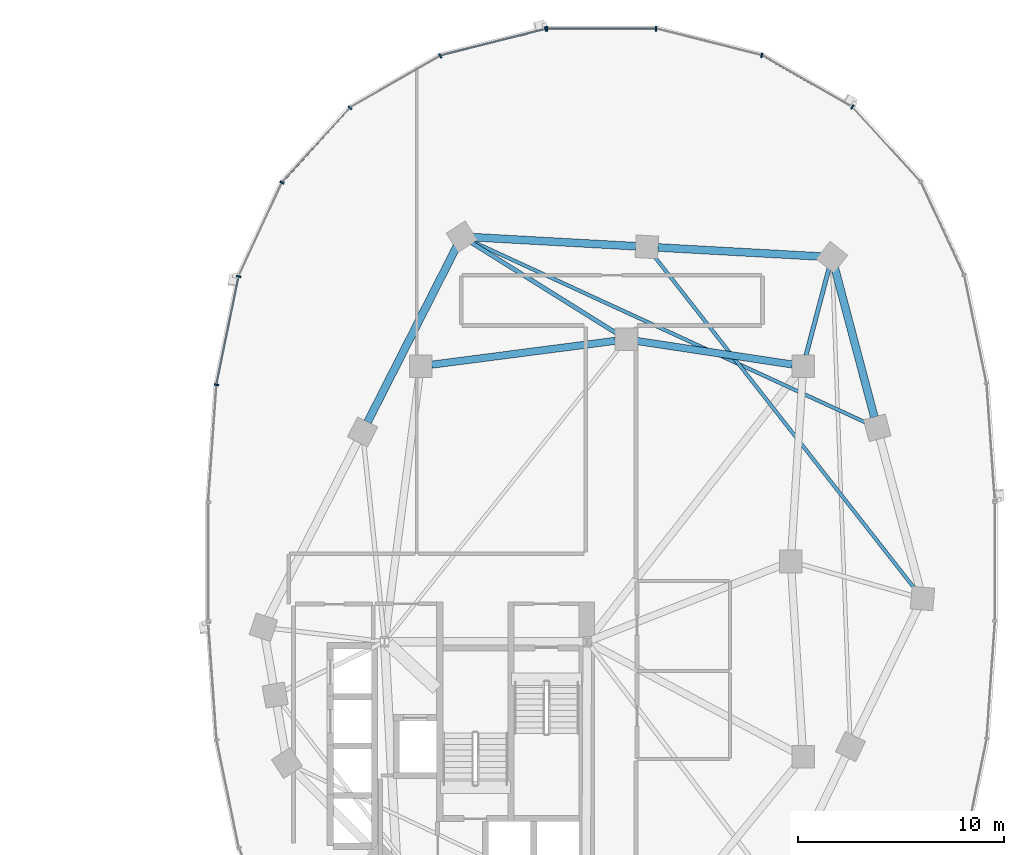
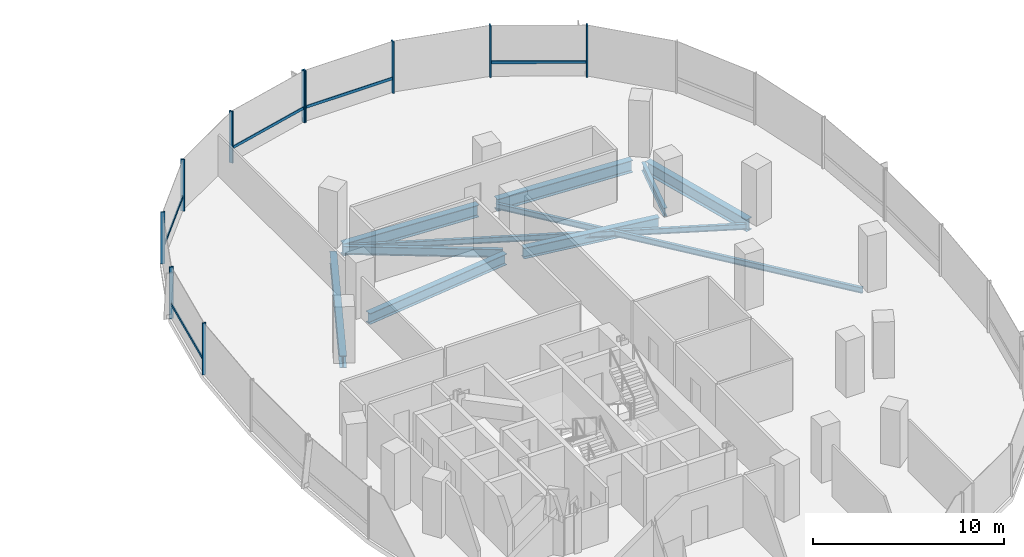
# One storey, part 7 of 20: 15 members, 10 beams, 2 elements without a shape of their own.
"""IFC4 building model written with IfcOpenShell, lengths in metres."""

import ifcopenshell
import ifcopenshell.guid

model = None  # the IFC model being written
_history = None  # IfcOwnerHistory: only IFC2X3 demands one
_inside = {}  # id of a spatial element -> (the spatial element, [elements in it])
_under = {}  # id of a project, library or spatial element -> (it, [spatial elements below it])
_declared = {}  # id of a project -> (the project, [libraries it declares])
_typed = {}  # id of a type object -> (the type object, [elements of that type])
_made_of = {}  # id of a material, layer set ... -> (it, [elements and type objects made of it])


def new_model(schema):
    """Start an empty IFC model of exactly this schema.

    Asked for "IFC4X3", IfcOpenShell would pick the latest addendum, in which some entities
    have other attributes; the version numbers below select the first issue.
    IFC2X3 requires an IfcOwnerHistory on every rooted entity: one is made here for all.
    """
    global model, _history
    if schema == "IFC4X3":
        model = ifcopenshell.file(schema_version=(4, 3, 0, 0))
    else:
        model = ifcopenshell.file(schema=schema)
    _inside.clear()
    _under.clear()
    _declared.clear()
    _typed.clear()
    _made_of.clear()
    _history = None
    if model.schema == "IFC2X3":
        org = make("IfcOrganization", Name="unknown")
        user = make(
            "IfcPersonAndOrganization",
            ThePerson=make("IfcPerson", FamilyName="unknown"),
            TheOrganization=org,
        )
        app = make(
            "IfcApplication",
            ApplicationDeveloper=org,
            Version="unknown",
            ApplicationFullName="unknown",
            ApplicationIdentifier="unknown",
        )
        _history = make(
            "IfcOwnerHistory",
            OwningUser=user,
            OwningApplication=app,
            ChangeAction="ADDED",
            CreationDate=0,
        )
    return model


def make(cls, **values):
    """One entity of the class cls with the attributes given. An attribute that is None is left unset."""
    return model.create_entity(
        cls, **{name: value for name, value in values.items() if value is not None}
    )


def rooted(cls, **values):
    """An entity with a GlobalId (a new one), such as an element, a storey or a relation."""
    return make(cls, GlobalId=ifcopenshell.guid.new(), OwnerHistory=_history, **values)


def si_unit(unit_type, name, prefix=None):
    """IfcSIUnit, for example si_unit("LENGTHUNIT", "METRE", prefix="MILLI")."""
    return make("IfcSIUnit", UnitType=unit_type, Prefix=prefix, Name=name)


def assignment(units):
    """IfcUnitAssignment: the units of a project."""
    return None if units is None else make("IfcUnitAssignment", Units=units)


def point(xyz):
    """IfcCartesianPoint."""
    return None if xyz is None else make("IfcCartesianPoint", Coordinates=xyz)


def direction(xyz):
    """IfcDirection."""
    return None if xyz is None else make("IfcDirection", DirectionRatios=xyz)


def frame(location, z_axis=None, x_axis=None):
    """IfcAxis2Placement3D, a coordinate frame: its origin and axes. An axis left out is left unset."""
    return make(
        "IfcAxis2Placement3D",
        Location=point(location),
        Axis=direction(z_axis),
        RefDirection=direction(x_axis),
    )


def frame_2d(location, x_axis=None):
    """IfcAxis2Placement2D, a coordinate frame in the plane: its origin and x axis."""
    return make(
        "IfcAxis2Placement2D", Location=point(location), RefDirection=direction(x_axis)
    )


def origin():
    """The frame at (0, 0, 0) with its axes left unset."""
    return frame((0.0, 0.0, 0.0))


def origin_2d():
    """The frame at (0, 0) in the plane with its x axis left unset."""
    return frame_2d((0.0, 0.0))


def place(relative_to, where):
    """IfcLocalPlacement: puts the frame where relative to a parent placement (None: the world)."""
    return make(
        "IfcLocalPlacement", PlacementRelTo=relative_to, RelativePlacement=where
    )


def context(
    kind, dimensions, precision=None, world=None, true_north=None, identifier=None
):
    """IfcGeometricRepresentationContext, for example the 3D "Model" context."""
    return make(
        "IfcGeometricRepresentationContext",
        ContextIdentifier=identifier,
        ContextType=kind,
        CoordinateSpaceDimension=dimensions,
        Precision=precision,
        WorldCoordinateSystem=world,
        TrueNorth=true_north,
    )


def subcontext(parent, identifier, kind, view, scale=None):
    """IfcGeometricRepresentationSubContext, for example "Body" below "Model"."""
    return make(
        "IfcGeometricRepresentationSubContext",
        ContextIdentifier=identifier,
        ContextType=kind,
        ParentContext=parent,
        TargetScale=scale,
        TargetView=view,
    )


def project(units=None, contexts=None):
    """IfcProject with its units and contexts."""
    return rooted(
        "IfcProject",
        Name="project",
        RepresentationContexts=contexts,
        UnitsInContext=assignment(units),
    )


def spatial(cls, under=None, at=None, **own):
    """A site, building, storey or space (cls), placed at a placement, below another one or the project."""
    s = rooted(cls, ObjectPlacement=at, **own)
    if under is not None:
        _under.setdefault(under.id(), (under, []))[1].append(s)
    return s


def profile(cls, at=None, kind="AREA", **sizes):
    """A parametric profile (cls). Its sizes go by their IFC names, for example OverallWidth=200.0."""
    return make(cls, ProfileType=kind, Position=at, **sizes)


def rectangle(**sizes):
    """IfcRectangleProfileDef."""
    return profile("IfcRectangleProfileDef", **sizes)


def i_section(**sizes):
    """IfcIShapeProfileDef."""
    return profile("IfcIShapeProfileDef", **sizes)


def extrude(swept, where, along, depth):
    """IfcExtrudedAreaSolid: the profile swept, set in the frame where, extruded along a direction by depth."""
    return make(
        "IfcExtrudedAreaSolid",
        SweptArea=swept,
        Position=where,
        ExtrudedDirection=direction(along),
        Depth=depth,
    )


def shape(context_of_items, identifier, shape_type, items):
    """IfcShapeRepresentation: the items that make up one representation, for example the "Body"."""
    return make(
        "IfcShapeRepresentation",
        ContextOfItems=context_of_items,
        RepresentationIdentifier=identifier,
        RepresentationType=shape_type,
        Items=items,
    )


def material(Name=None, Category=None):
    """IfcMaterial."""
    return make("IfcMaterial", Name=Name, Category=Category)


def material_profile(
    of_material, cross_section, Name=None, Category=None, Priority=None
):
    """IfcMaterialProfile: a cross section and its material."""
    return make(
        "IfcMaterialProfile",
        Name=Name,
        Material=of_material,
        Profile=cross_section,
        Priority=Priority,
        Category=Category,
    )


def profile_set(profiles, Name=None, composite=None):
    """IfcMaterialProfileSet."""
    return make(
        "IfcMaterialProfileSet",
        Name=Name,
        MaterialProfiles=profiles,
        CompositeProfile=composite,
    )


def made_of(thing, what):
    """Note that an element or type object is made of a material, layer set ...; save() writes the relation."""
    if what is not None:
        _made_of.setdefault(what.id(), (what, []))[1].append(thing)
    return thing


def type_object(cls, material=None, **own):
    """A type object (cls), such as IfcWallType, which elements share."""
    return made_of(rooted(cls, **own), material)


def element(
    cls,
    number,
    at=None,
    inside=None,
    cuts=None,
    type_object=None,
    material=None,
    context=None,
    identifier="Body",
    shape_type=None,
    held_by="IfcProductDefinitionShape",
    body=None,
    shapes=None,
    **own,
):
    """One element of the class cls, such as IfcWall. Its Tag is "e" and its number.

    at: its placement. inside: the storey or other place that contains it. cuts: it is an
    opening in that element (IfcRelVoidsElement). A single representation is given by context,
    identifier, shape_type and body (its items); several are given by shapes. held_by: the class
    of the entity that holds the representations. save() writes the other relations.
    """
    e = rooted(cls, Tag="e%d" % number, ObjectPlacement=at, **own)
    if body is not None:
        shapes = [shape(context, identifier, shape_type, body)]
    if shapes is not None:
        e.Representation = make(held_by, Representations=shapes)
    if inside is not None:
        _inside.setdefault(inside.id(), (inside, []))[1].append(e)
    if cuts is not None:
        rooted(
            "IfcRelVoidsElement", RelatingBuildingElement=cuts, RelatedOpeningElement=e
        )
    if type_object is not None:
        _typed.setdefault(type_object.id(), (type_object, []))[1].append(e)
    return made_of(e, material)


def aggregate(whole, parts):
    """IfcRelAggregates: a whole, such as a stair, and the parts it consists of."""
    return rooted("IfcRelAggregates", RelatingObject=whole, RelatedObjects=parts)


def save(model, path):
    """Write the relations noted so far, then the file.

    IfcRelAggregates (storeys below a building ...), IfcRelContainedInSpatialStructure (elements
    in a storey), IfcRelDefinesByType, IfcRelAssociatesMaterial and IfcRelDeclares: one each for
    every whole, place, type object, material and project.
    """
    for whole, parts in _under.values():
        aggregate(whole, parts)
    for where, things in _inside.values():
        rooted(
            "IfcRelContainedInSpatialStructure",
            RelatedElements=things,
            RelatingStructure=where,
        )
    for kind, things in _typed.values():
        rooted("IfcRelDefinesByType", RelatedObjects=things, RelatingType=kind)
    for what, things in _made_of.values():
        rooted("IfcRelAssociatesMaterial", RelatedObjects=things, RelatingMaterial=what)
    for by, libraries in _declared.values():
        rooted("IfcRelDeclares", RelatingContext=by, RelatedDefinitions=libraries)
    model.write(path)


model = new_model("IFC4")

# Units and contexts
model_context = context("Model", 3, precision=1e-05, world=origin(), true_north=direction((0.0, 1.0)))
body_context = subcontext(model_context, "Body", "Model", "MODEL_VIEW")
ifc_project = project(units=[si_unit("LENGTHUNIT", "METRE"), si_unit("AREAUNIT", "SQUARE_METRE"), si_unit("VOLUMEUNIT", "CUBIC_METRE"), si_unit("PLANEANGLEUNIT", "RADIAN"), si_unit("MASSUNIT", "GRAM", prefix="KILO"), si_unit("THERMODYNAMICTEMPERATUREUNIT", "KELVIN"), si_unit("POWERUNIT", "WATT")], contexts=[model_context])

# Site, building, storey
site_placement = place(None, origin())
site = spatial("IfcSite", under=ifc_project, at=site_placement, CompositionType="ELEMENT")
building_placement = place(site_placement, origin())
building = spatial("IfcBuilding", under=site, at=building_placement, Name="Cundina Bronze Exchange", CompositionType="ELEMENT")
storey_placement = place(building_placement, frame((0.0, 0.0, 125.0)))
storey = spatial("IfcBuildingStorey", under=building, at=storey_placement, Name="L32", CompositionType="ELEMENT", Elevation=125.0)

# Beams
ifc_material_1 = material(Name="Steel ASTM A992 Grade 50", Category="steel")
ifc_material_profile_1 = material_profile(ifc_material_1, i_section(OverallWidth=0.2099609375, OverallDepth=0.532958984375, WebThickness=0.01025390625, FlangeThickness=0.015625, FilletRadius=0.013916015625, at=origin_2d()), Name="W21X62", Category="steel")
ifc_profile_set_1 = profile_set([ifc_material_profile_1], Name="Steel ASTM A992 Grade 50")
beam_type_1 = type_object("IfcBeamType", Name="BM-FLR-W21B", PredefinedType="BEAM", material=ifc_profile_set_1)
beam_1_placement = place(storey_placement, frame((41.9375, 10.020263671875, -0.56640625), z_axis=(0.255357891402, 0.966846599673, 0.0), x_axis=(-0.966846599673, 0.255357891402, 0.0)))
element("IfcBeam", 1, at=beam_1_placement, inside=storey, type_object=beam_type_1, Name="L32 Leg E Chordal Floor Beam 10", PredefinedType="BEAM", context=body_context, shape_type="SweptSolid", body=[
    extrude(i_section(OverallWidth=0.2099609375, OverallDepth=0.532958984375, WebThickness=0.01025390625, FlangeThickness=0.015625, FilletRadius=0.013916015625, at=origin_2d()), origin(), (0.0, 0.0, 1.0), 4.405517578125),
])
beam_2_placement = place(storey_placement, frame((32.743896484375, 11.085205078125, -0.56640625), z_axis=(-0.848003227047, 0.529991063055, 0.0), x_axis=(-0.529991063055, -0.848003227047, 0.0)))
element("IfcBeam", 2, at=beam_2_placement, inside=storey, type_object=beam_type_1, Name="L32 Leg E Chordal Floor Beam 12", PredefinedType="BEAM", context=body_context, shape_type="SweptSolid", body=[
    extrude(i_section(OverallWidth=0.2099609375, OverallDepth=0.532958984375, WebThickness=0.01025390625, FlangeThickness=0.015625, FilletRadius=0.013916015625, at=origin_2d()), origin(), (0.0, 0.0, 1.0), 8.358154296875),
])
ifc_material_profile_2 = material_profile(ifc_material_1, i_section(OverallWidth=0.172119140625, OverallDepth=0.35791015625, WebThickness=0.0078125, FlangeThickness=0.01318359375, FilletRadius=0.010009765625, at=origin_2d()), Name="W14X38", Category="steel")
ifc_profile_set_2 = profile_set([ifc_material_profile_2], Name="Steel ASTM A992 Grade 50")
beam_type_2 = type_object("IfcBeamType", Name="BM-JST-W14", PredefinedType="JOIST", material=ifc_profile_set_2)
beam_3_placement = place(storey_placement, frame((47.268310546875, -1.37646484375, -0.47900390625), z_axis=(-0.616815348306, 0.787107887201, 0.0), x_axis=(-0.787107887201, -0.616815348306, 0.0)))
element("IfcBeam", 3, at=beam_3_placement, inside=storey, type_object=beam_type_2, Name="L32 Leg E Lobe Floor Joist 08-11", PredefinedType="JOIST", context=body_context, shape_type="SweptSolid", body=[
    extrude(i_section(OverallWidth=0.172119140625, OverallDepth=0.35791015625, WebThickness=0.0078125, FlangeThickness=0.01318359375, FilletRadius=0.010009765625, at=origin_2d()), origin(), (0.0, 0.0, 1.0), 20.64892578125),
])
beam_4_placement = place(storey_placement, frame((44.911376953125, 6.72509765625, -0.47900390625), z_axis=(-0.908357076874, 0.41819543385, 0.0), x_axis=(-0.41819543385, -0.908357076874, 0.0)))
element("IfcBeam", 4, at=beam_4_placement, inside=storey, type_object=beam_type_2, Name="L32 Leg E Lobe Floor Joist 09-12", PredefinedType="JOIST", context=body_context, shape_type="SweptSolid", body=[
    extrude(i_section(OverallWidth=0.172119140625, OverallDepth=0.35791015625, WebThickness=0.0078125, FlangeThickness=0.01318359375, FilletRadius=0.010009765625, at=origin_2d()), origin(), (0.0, 0.0, 1.0), 21.162109375),
])
ifc_material_profile_3 = material_profile(ifc_material_1, i_section(OverallWidth=0.35498046875, OverallDepth=0.695068359375, WebThickness=0.015380859375, FlangeThickness=0.02490234375, FilletRadius=0.01806640625, at=origin_2d()), Name="W27X146", Category="steel")
ifc_profile_set_3 = profile_set([ifc_material_profile_3], Name="Steel ASTM A992 Grade 50")
beam_type_3 = type_object("IfcBeamType", Name="BM-RING-W27", PredefinedType="USERDEFINED", material=ifc_profile_set_3)
beam_5_placement = place(storey_placement, frame((41.26806640625, 9.580322265625, -0.6474609375), z_axis=(-0.988767489563, 0.149461873341, 0.0), x_axis=(-0.149461873341, -0.988767489563, 0.0)))
element("IfcBeam", 5, at=beam_5_placement, inside=storey, type_object=beam_type_3, Name="L32 E Inner Structural Ring Girder 05", ObjectType="GIRDER", PredefinedType="USERDEFINED", context=body_context, shape_type="SweptSolid", body=[
    extrude(i_section(OverallWidth=0.35498046875, OverallDepth=0.695068359375, WebThickness=0.015380859375, FlangeThickness=0.02490234375, FilletRadius=0.01806640625, at=origin_2d()), origin(), (0.0, 0.0, 1.0), 7.621826171875),
])
beam_6_placement = place(storey_placement, frame((32.66650390625, 10.730712890625, -0.6474609375), z_axis=(-0.991654577907, -0.128923225666, 0.0), x_axis=(0.128923225666, -0.991654577907, 0.0)))
element("IfcBeam", 6, at=beam_6_placement, inside=storey, type_object=beam_type_3, Name="L32 E Inner Structural Ring Girder 06", ObjectType="GIRDER", PredefinedType="USERDEFINED", context=body_context, shape_type="SweptSolid", body=[
    extrude(i_section(OverallWidth=0.35498046875, OverallDepth=0.695068359375, WebThickness=0.015380859375, FlangeThickness=0.02490234375, FilletRadius=0.01806640625, at=origin_2d()), origin(), (0.0, 0.0, 1.0), 9.00830078125),
])
ifc_material_profile_4 = material_profile(ifc_material_1, i_section(OverallWidth=0.381103515625, OverallDepth=0.77294921875, WebThickness=0.0166015625, FlangeThickness=0.027099609375, FilletRadius=0.01904296875, at=origin_2d()), Name="W30X173", Category="steel")
ifc_profile_set_4 = profile_set([ifc_material_profile_4], Name="Steel ASTM A992 Grade 50")
beam_type_4 = type_object("IfcBeamType", Name="BM-RING-W30", PredefinedType="USERDEFINED", material=ifc_profile_set_4)
beam_7_placement = place(storey_placement, frame((45.26220703125, 7.02001953125, -0.6865234375), z_axis=(-0.256209719931, 0.966621218168, 0.0), x_axis=(-0.966621218168, -0.256209719931, 0.0)))
element("IfcBeam", 7, at=beam_7_placement, inside=storey, type_object=beam_type_4, Name="L32 E Perimeter Ring Girder 09", ObjectType="GIRDER", PredefinedType="USERDEFINED", context=body_context, shape_type="SweptSolid", body=[
    extrude(i_section(OverallWidth=0.381103515625, OverallDepth=0.77294921875, WebThickness=0.0166015625, FlangeThickness=0.027099609375, FilletRadius=0.01904296875, at=origin_2d()), origin(), (0.0, 0.0, 1.0), 7.5107421875),
])
for number, where, z_axis, x_axis, name in (
    (8, (42.662841796875, 14.829833984375, -0.6865234375), (-0.99845950136, 0.055485350721, 0.0), (-0.055485350721, -0.99845950136, 0.0), "L32 E Perimeter Ring Girder 10"),
    (9, (33.662841796875, 15.329833984375, -0.6865234375), (-0.99845950136, 0.055485350721, 0.0), (-0.055485350721, -0.99845950136, 0.0), "L32 E Perimeter Ring Girder 11"),
):
    element("IfcBeam", number, at=place(storey_placement, frame(where, z_axis=z_axis, x_axis=x_axis)), inside=storey, type_object=beam_type_4, Name=name, ObjectType="GIRDER", PredefinedType="USERDEFINED", context=body_context, shape_type="SweptSolid", body=[
        extrude(i_section(OverallWidth=0.381103515625, OverallDepth=0.77294921875, WebThickness=0.0166015625, FlangeThickness=0.027099609375, FilletRadius=0.01904296875, at=origin_2d()), origin(), (0.0, 0.0, 1.0), 7.937744140625),
    ])
beam_8_placement = place(storey_placement, frame((24.956298828125, 15.3203125, -0.6865234375), z_axis=(-0.452832332744, -0.891595692241, 0.0), x_axis=(0.891595692241, -0.452832332744, 0.0)))
element("IfcBeam", 10, at=beam_8_placement, inside=storey, type_object=beam_type_4, Name="L32 E Perimeter Ring Girder 12", ObjectType="GIRDER", PredefinedType="USERDEFINED", context=body_context, shape_type="SweptSolid", body=[
    extrude(i_section(OverallWidth=0.381103515625, OverallDepth=0.77294921875, WebThickness=0.0166015625, FlangeThickness=0.027099609375, FilletRadius=0.01904296875, at=origin_2d()), origin(), (0.0, 0.0, 1.0), 9.578857421875),
])

# Curtain wall, members
ifc_material_2 = material(Name="Anodised Bronze Aluminium 6063-T6", Category="aluminium")
curtain_wall_type = type_object("IfcCurtainWallType", Name="CWS-TRD-MID", PredefinedType="NOTDEFINED", material=ifc_material_2)
curtain_wall_1_placement = place(storey_placement, origin())
curtain_wall_1 = element("IfcCurtainWall", 11, at=curtain_wall_1_placement, inside=storey, type_object=curtain_wall_type, Name="L32 CW-03 Curtain Wall Run CWR-L32-E1", PredefinedType="NOTDEFINED")
ifc_material_profile_5 = material_profile(ifc_material_2, rectangle(XDim=0.074951171875, YDim=0.219970703125, at=origin_2d()), Name="AL75X220", Category="aluminium")
ifc_profile_set_5 = profile_set([ifc_material_profile_5], Name="Anodised Bronze Aluminium 6063-T6")
member_type_1 = type_object("IfcMemberType", Name="CWM-MUL-220", PredefinedType="MULLION", material=ifc_profile_set_5)
member_1_placement = place(storey_placement, frame((44.189697265625, 22.097412109375, 0.0), z_axis=(0.0, 0.0, 1.0), x_axis=(-0.867070701164, 0.498185105339, 0.0)))
member_1 = element("IfcMember", 12, at=member_1_placement, type_object=member_type_1, Name="CW-03 Mullion 5", PredefinedType="MULLION", context=body_context, shape_type="SweptSolid", body=[
    extrude(rectangle(XDim=0.074951171875, YDim=0.219970703125, at=origin_2d()), origin(), (0.0, 0.0, 1.0), 3.300048828125),
])
member_2_placement = place(storey_placement, frame((39.78515625, 24.61669921875, 0.0), z_axis=(0.0, 0.0, 1.0), x_axis=(-0.969488149345, 0.245138182011, 0.0)))
member_2 = element("IfcMember", 13, at=member_2_placement, type_object=member_type_1, Name="CW-03 Mullion 6", PredefinedType="MULLION", context=body_context, shape_type="SweptSolid", body=[
    extrude(rectangle(XDim=0.074951171875, YDim=0.219970703125, at=origin_2d()), origin(), (0.0, 0.0, 1.0), 3.300048828125),
])
member_3_placement = place(storey_placement, frame((34.654541015625, 25.905029296875, 0.0), z_axis=(0.0, 0.0, 1.0), x_axis=(-1.0, 0.0, 0.0)))
member_3 = element("IfcMember", 14, at=member_3_placement, type_object=member_type_1, Name="CW-03 Mullion 7", PredefinedType="MULLION", context=body_context, shape_type="SweptSolid", body=[
    extrude(rectangle(XDim=0.074951171875, YDim=0.219970703125, at=origin_2d()), origin(), (0.0, 0.0, 1.0), 3.300048828125),
])
member_4_placement = place(storey_placement, frame((29.345458984375, 25.905029296875, 0.0), z_axis=(0.0, 0.0, 1.0), x_axis=(-1.0, 0.0, 0.0)))
member_4 = element("IfcMember", 15, at=member_4_placement, type_object=member_type_1, Name="CW-03 End Mullion", PredefinedType="MULLION", context=body_context, shape_type="SweptSolid", body=[
    extrude(rectangle(XDim=0.074951171875, YDim=0.219970703125, at=origin_2d()), origin(), (0.0, 0.0, 1.0), 3.300048828125),
])

curtain_wall_2_placement = place(storey_placement, origin())
curtain_wall_2 = element("IfcCurtainWall", 16, at=curtain_wall_2_placement, inside=storey, type_object=curtain_wall_type, Name="L32 CW-03 Curtain Wall Run CWR-L32-E2", PredefinedType="NOTDEFINED")
member_5_placement = place(storey_placement, frame((29.27392578125, 25.89599609375, 0.0), z_axis=(0.0, 0.0, 1.0), x_axis=(-0.969488149345, -0.245138182011, 0.0)))
member_5 = element("IfcMember", 17, at=member_5_placement, type_object=member_type_1, Name="CW-03 Mullion 1", PredefinedType="MULLION", context=body_context, shape_type="SweptSolid", body=[
    extrude(rectangle(XDim=0.074951171875, YDim=0.219970703125, at=origin_2d()), origin(), (0.0, 0.0, 1.0), 3.300048828125),
])
member_6_placement = place(storey_placement, frame((24.151123046875, 24.591064453125, 0.0), z_axis=(0.0, 0.0, 1.0), x_axis=(-0.867070701164, -0.498185105339, 0.0)))
member_6 = element("IfcMember", 18, at=member_6_placement, type_object=member_type_1, Name="CW-03 Mullion 2", PredefinedType="MULLION", context=body_context, shape_type="SweptSolid", body=[
    extrude(rectangle(XDim=0.074951171875, YDim=0.219970703125, at=origin_2d()), origin(), (0.0, 0.0, 1.0), 3.300048828125),
])
member_7_placement = place(storey_placement, frame((19.760498046875, 22.0576171875, 0.0), z_axis=(0.0, 0.0, 1.0), x_axis=(-0.674302387584, -0.738455340626, 0.0)))
member_7 = element("IfcMember", 19, at=member_7_placement, type_object=member_type_1, Name="CW-03 Mullion 3", PredefinedType="MULLION", context=body_context, shape_type="SweptSolid", body=[
    extrude(rectangle(XDim=0.074951171875, YDim=0.219970703125, at=origin_2d()), origin(), (0.0, 0.0, 1.0), 3.300048828125),
])
member_8_placement = place(storey_placement, frame((16.455810546875, 18.423583984375, 0.0), z_axis=(0.0, 0.0, 1.0), x_axis=(-0.42087749791, -0.907117485088, 0.0)))
member_8 = element("IfcMember", 20, at=member_8_placement, type_object=member_type_1, Name="CW-03 Mullion 4", PredefinedType="MULLION", context=body_context, shape_type="SweptSolid", body=[
    extrude(rectangle(XDim=0.074951171875, YDim=0.219970703125, at=origin_2d()), origin(), (0.0, 0.0, 1.0), 3.300048828125),
])
member_9_placement = place(storey_placement, frame((14.348876953125, 13.861328125, 0.0), z_axis=(0.0, 0.0, 1.0), x_axis=(-0.201419845156, -0.979505000486, 0.0)))
member_9 = element("IfcMember", 21, at=member_9_placement, type_object=member_type_1, Name="CW-03 Mullion 5", PredefinedType="MULLION", context=body_context, shape_type="SweptSolid", body=[
    extrude(rectangle(XDim=0.074951171875, YDim=0.219970703125, at=origin_2d()), origin(), (0.0, 0.0, 1.0), 3.300048828125),
])
member_10_placement = place(storey_placement, frame((13.27099609375, 8.591552734375, 0.0), z_axis=(0.0, 0.0, 1.0), x_axis=(-0.070278787473, -0.997527389113, 0.0)))
member_10 = element("IfcMember", 22, at=member_10_placement, type_object=member_type_1, Name="CW-03 Mullion 6", PredefinedType="MULLION", context=body_context, shape_type="SweptSolid", body=[
    extrude(rectangle(XDim=0.074951171875, YDim=0.219970703125, at=origin_2d()), origin(), (0.0, 0.0, 1.0), 3.300048828125),
])

# Member
ifc_material_profile_6 = material_profile(ifc_material_2, rectangle(XDim=0.070068359375, YDim=0.179931640625, at=origin_2d()), Name="AL70X180", Category="aluminium")
ifc_profile_set_6 = profile_set([ifc_material_profile_6], Name="Anodised Bronze Aluminium 6063-T6")
member_type_2 = type_object("IfcMemberType", Name="CWM-TRN-180", PredefinedType="USERDEFINED", material=ifc_profile_set_6)
member_11_placement = place(storey_placement, frame((44.154052734375, 22.117919921875, 0.919921875), z_axis=(-0.867097475651, 0.498138502546, 0.0), x_axis=(-0.498138502546, -0.867097475651, 0.0)))
member_11 = element("IfcMember", 23, at=member_11_placement, type_object=member_type_2, Name="CW-03 Spandrel Transom 5", ObjectType="TRANSOM", PredefinedType="USERDEFINED", context=body_context, shape_type="SweptSolid", body=[
    extrude(rectangle(XDim=0.070068359375, YDim=0.179931640625, at=origin_2d()), origin(), (0.0, 0.0, 1.0), 5.00634765625),
])

member_12_placement = place(storey_placement, frame((34.61328125, 25.905029296875, 0.919921875), z_axis=(-1.0, 0.0, 0.0), x_axis=(0.0, -1.0, 0.0)))
member_12 = element("IfcMember", 24, at=member_12_placement, type_object=member_type_2, Name="CW-03 Spandrel Transom 7", ObjectType="TRANSOM", PredefinedType="USERDEFINED", context=body_context, shape_type="SweptSolid", body=[
    extrude(rectangle(XDim=0.070068359375, YDim=0.179931640625, at=origin_2d()), origin(), (0.0, 0.0, 1.0), 5.2265625),
])

aggregate(curtain_wall_1, [member_1, member_11, member_2, member_3, member_4, member_12])

member_13_placement = place(storey_placement, frame((29.23388671875, 25.885986328125, 0.919921875), z_axis=(-0.969483968866, -0.245154714644, 0.0), x_axis=(0.245154714644, -0.969483968866, 0.0)))
member_13 = element("IfcMember", 25, at=member_13_placement, type_object=member_type_2, Name="CW-03 Spandrel Transom 1", ObjectType="TRANSOM", PredefinedType="USERDEFINED", context=body_context, shape_type="SweptSolid", body=[
    extrude(rectangle(XDim=0.070068359375, YDim=0.179931640625, at=origin_2d()), origin(), (0.0, 0.0, 1.0), 5.21826171875),
])

member_14_placement = place(storey_placement, frame((19.73291015625, 22.027099609375, 0.919921875), z_axis=(-0.674302794847, -0.738454968743, 0.0), x_axis=(0.738454968743, -0.674302794847, 0.0)))
member_14 = element("IfcMember", 26, at=member_14_placement, type_object=member_type_2, Name="CW-03 Spandrel Transom 3", ObjectType="TRANSOM", PredefinedType="USERDEFINED", context=body_context, shape_type="SweptSolid", body=[
    extrude(rectangle(XDim=0.070068359375, YDim=0.179931640625, at=origin_2d()), origin(), (0.0, 0.0, 1.0), 4.848388671875),
])

member_15_placement = place(storey_placement, frame((14.340576171875, 13.821044921875, 0.919921875), z_axis=(-0.201427712708, -0.979503382615, 0.0), x_axis=(0.979503382615, -0.201427712708, 0.0)))
member_15 = element("IfcMember", 27, at=member_15_placement, type_object=member_type_2, Name="CW-03 Spandrel Transom 5", ObjectType="TRANSOM", PredefinedType="USERDEFINED", context=body_context, shape_type="SweptSolid", body=[
    extrude(rectangle(XDim=0.070068359375, YDim=0.179931640625, at=origin_2d()), origin(), (0.0, 0.0, 1.0), 5.291748046875),
])

aggregate(curtain_wall_2, [member_5, member_13, member_6, member_7, member_14, member_8, member_9, member_15, member_10])

save(model, "model.ifc")
